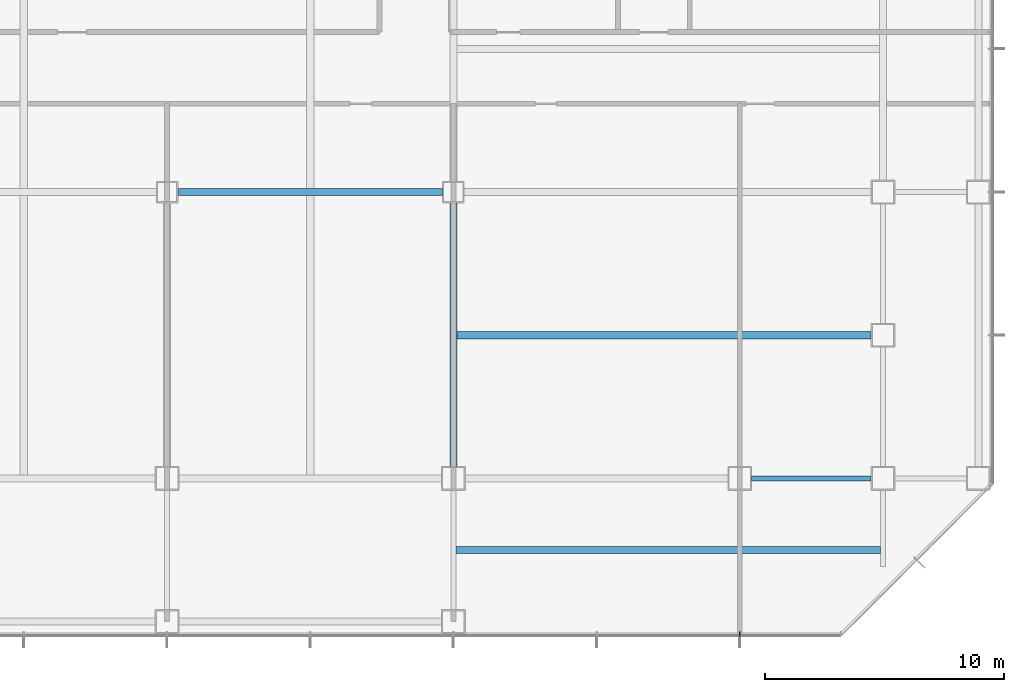
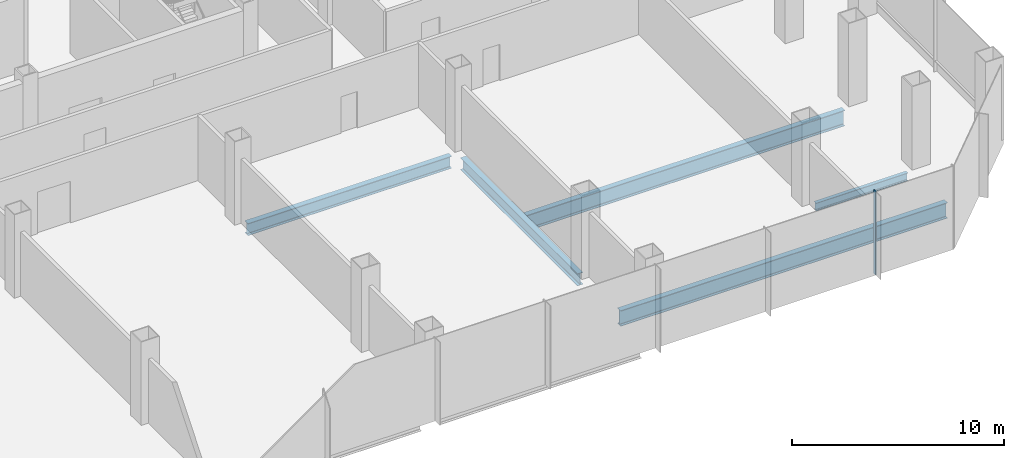
# One storey, part 9 of 33: 5 beams, 1 member, 1 element without a shape of its own.
"""IFC4 building model written with IfcOpenShell, lengths in metres."""

import ifcopenshell
import ifcopenshell.guid

model = None  # the IFC model being written
_history = None  # IfcOwnerHistory: only IFC2X3 demands one
_inside = {}  # id of a spatial element -> (the spatial element, [elements in it])
_under = {}  # id of a project, library or spatial element -> (it, [spatial elements below it])
_declared = {}  # id of a project -> (the project, [libraries it declares])
_typed = {}  # id of a type object -> (the type object, [elements of that type])
_made_of = {}  # id of a material, layer set ... -> (it, [elements and type objects made of it])


def new_model(schema):
    """Start an empty IFC model of exactly this schema.

    Asked for "IFC4X3", IfcOpenShell would pick the latest addendum, in which some entities
    have other attributes; the version numbers below select the first issue.
    IFC2X3 requires an IfcOwnerHistory on every rooted entity: one is made here for all.
    """
    global model, _history
    if schema == "IFC4X3":
        model = ifcopenshell.file(schema_version=(4, 3, 0, 0))
    else:
        model = ifcopenshell.file(schema=schema)
    _inside.clear()
    _under.clear()
    _declared.clear()
    _typed.clear()
    _made_of.clear()
    _history = None
    if model.schema == "IFC2X3":
        org = make("IfcOrganization", Name="unknown")
        user = make(
            "IfcPersonAndOrganization",
            ThePerson=make("IfcPerson", FamilyName="unknown"),
            TheOrganization=org,
        )
        app = make(
            "IfcApplication",
            ApplicationDeveloper=org,
            Version="unknown",
            ApplicationFullName="unknown",
            ApplicationIdentifier="unknown",
        )
        _history = make(
            "IfcOwnerHistory",
            OwningUser=user,
            OwningApplication=app,
            ChangeAction="ADDED",
            CreationDate=0,
        )
    return model


def make(cls, **values):
    """One entity of the class cls with the attributes given. An attribute that is None is left unset."""
    return model.create_entity(
        cls, **{name: value for name, value in values.items() if value is not None}
    )


def rooted(cls, **values):
    """An entity with a GlobalId (a new one), such as an element, a storey or a relation."""
    return make(cls, GlobalId=ifcopenshell.guid.new(), OwnerHistory=_history, **values)


def si_unit(unit_type, name, prefix=None):
    """IfcSIUnit, for example si_unit("LENGTHUNIT", "METRE", prefix="MILLI")."""
    return make("IfcSIUnit", UnitType=unit_type, Prefix=prefix, Name=name)


def assignment(units):
    """IfcUnitAssignment: the units of a project."""
    return None if units is None else make("IfcUnitAssignment", Units=units)


def point(xyz):
    """IfcCartesianPoint."""
    return None if xyz is None else make("IfcCartesianPoint", Coordinates=xyz)


def direction(xyz):
    """IfcDirection."""
    return None if xyz is None else make("IfcDirection", DirectionRatios=xyz)


def frame(location, z_axis=None, x_axis=None):
    """IfcAxis2Placement3D, a coordinate frame: its origin and axes. An axis left out is left unset."""
    return make(
        "IfcAxis2Placement3D",
        Location=point(location),
        Axis=direction(z_axis),
        RefDirection=direction(x_axis),
    )


def frame_2d(location, x_axis=None):
    """IfcAxis2Placement2D, a coordinate frame in the plane: its origin and x axis."""
    return make(
        "IfcAxis2Placement2D", Location=point(location), RefDirection=direction(x_axis)
    )


def origin():
    """The frame at (0, 0, 0) with its axes left unset."""
    return frame((0.0, 0.0, 0.0))


def origin_2d():
    """The frame at (0, 0) in the plane with its x axis left unset."""
    return frame_2d((0.0, 0.0))


def place(relative_to, where):
    """IfcLocalPlacement: puts the frame where relative to a parent placement (None: the world)."""
    return make(
        "IfcLocalPlacement", PlacementRelTo=relative_to, RelativePlacement=where
    )


def context(
    kind, dimensions, precision=None, world=None, true_north=None, identifier=None
):
    """IfcGeometricRepresentationContext, for example the 3D "Model" context."""
    return make(
        "IfcGeometricRepresentationContext",
        ContextIdentifier=identifier,
        ContextType=kind,
        CoordinateSpaceDimension=dimensions,
        Precision=precision,
        WorldCoordinateSystem=world,
        TrueNorth=true_north,
    )


def subcontext(parent, identifier, kind, view, scale=None):
    """IfcGeometricRepresentationSubContext, for example "Body" below "Model"."""
    return make(
        "IfcGeometricRepresentationSubContext",
        ContextIdentifier=identifier,
        ContextType=kind,
        ParentContext=parent,
        TargetScale=scale,
        TargetView=view,
    )


def project(units=None, contexts=None):
    """IfcProject with its units and contexts."""
    return rooted(
        "IfcProject",
        Name="project",
        RepresentationContexts=contexts,
        UnitsInContext=assignment(units),
    )


def spatial(cls, under=None, at=None, **own):
    """A site, building, storey or space (cls), placed at a placement, below another one or the project."""
    s = rooted(cls, ObjectPlacement=at, **own)
    if under is not None:
        _under.setdefault(under.id(), (under, []))[1].append(s)
    return s


def profile(cls, at=None, kind="AREA", **sizes):
    """A parametric profile (cls). Its sizes go by their IFC names, for example OverallWidth=200.0."""
    return make(cls, ProfileType=kind, Position=at, **sizes)


def rectangle(**sizes):
    """IfcRectangleProfileDef."""
    return profile("IfcRectangleProfileDef", **sizes)


def i_section(**sizes):
    """IfcIShapeProfileDef."""
    return profile("IfcIShapeProfileDef", **sizes)


def extrude(swept, where, along, depth):
    """IfcExtrudedAreaSolid: the profile swept, set in the frame where, extruded along a direction by depth."""
    return make(
        "IfcExtrudedAreaSolid",
        SweptArea=swept,
        Position=where,
        ExtrudedDirection=direction(along),
        Depth=depth,
    )


def shape(context_of_items, identifier, shape_type, items):
    """IfcShapeRepresentation: the items that make up one representation, for example the "Body"."""
    return make(
        "IfcShapeRepresentation",
        ContextOfItems=context_of_items,
        RepresentationIdentifier=identifier,
        RepresentationType=shape_type,
        Items=items,
    )


def material(Name=None, Category=None):
    """IfcMaterial."""
    return make("IfcMaterial", Name=Name, Category=Category)


def material_profile(
    of_material, cross_section, Name=None, Category=None, Priority=None
):
    """IfcMaterialProfile: a cross section and its material."""
    return make(
        "IfcMaterialProfile",
        Name=Name,
        Material=of_material,
        Profile=cross_section,
        Priority=Priority,
        Category=Category,
    )


def profile_set(profiles, Name=None, composite=None):
    """IfcMaterialProfileSet."""
    return make(
        "IfcMaterialProfileSet",
        Name=Name,
        MaterialProfiles=profiles,
        CompositeProfile=composite,
    )


def made_of(thing, what):
    """Note that an element or type object is made of a material, layer set ...; save() writes the relation."""
    if what is not None:
        _made_of.setdefault(what.id(), (what, []))[1].append(thing)
    return thing


def type_object(cls, material=None, **own):
    """A type object (cls), such as IfcWallType, which elements share."""
    return made_of(rooted(cls, **own), material)


def element(
    cls,
    number,
    at=None,
    inside=None,
    cuts=None,
    type_object=None,
    material=None,
    context=None,
    identifier="Body",
    shape_type=None,
    held_by="IfcProductDefinitionShape",
    body=None,
    shapes=None,
    **own,
):
    """One element of the class cls, such as IfcWall. Its Tag is "e" and its number.

    at: its placement. inside: the storey or other place that contains it. cuts: it is an
    opening in that element (IfcRelVoidsElement). A single representation is given by context,
    identifier, shape_type and body (its items); several are given by shapes. held_by: the class
    of the entity that holds the representations. save() writes the other relations.
    """
    e = rooted(cls, Tag="e%d" % number, ObjectPlacement=at, **own)
    if body is not None:
        shapes = [shape(context, identifier, shape_type, body)]
    if shapes is not None:
        e.Representation = make(held_by, Representations=shapes)
    if inside is not None:
        _inside.setdefault(inside.id(), (inside, []))[1].append(e)
    if cuts is not None:
        rooted(
            "IfcRelVoidsElement", RelatingBuildingElement=cuts, RelatedOpeningElement=e
        )
    if type_object is not None:
        _typed.setdefault(type_object.id(), (type_object, []))[1].append(e)
    return made_of(e, material)


def aggregate(whole, parts):
    """IfcRelAggregates: a whole, such as a stair, and the parts it consists of."""
    return rooted("IfcRelAggregates", RelatingObject=whole, RelatedObjects=parts)


def save(model, path):
    """Write the relations noted so far, then the file.

    IfcRelAggregates (storeys below a building ...), IfcRelContainedInSpatialStructure (elements
    in a storey), IfcRelDefinesByType, IfcRelAssociatesMaterial and IfcRelDeclares: one each for
    every whole, place, type object, material and project.
    """
    for whole, parts in _under.values():
        aggregate(whole, parts)
    for where, things in _inside.values():
        rooted(
            "IfcRelContainedInSpatialStructure",
            RelatedElements=things,
            RelatingStructure=where,
        )
    for kind, things in _typed.values():
        rooted("IfcRelDefinesByType", RelatedObjects=things, RelatingType=kind)
    for what, things in _made_of.values():
        rooted("IfcRelAssociatesMaterial", RelatedObjects=things, RelatingMaterial=what)
    for by, libraries in _declared.values():
        rooted("IfcRelDeclares", RelatingContext=by, RelatedDefinitions=libraries)
    model.write(path)


model = new_model("IFC4")

# Units and contexts
model_context = context("Model", 3, precision=1e-05, world=origin(), true_north=direction((0.0, 1.0)))
body_context = subcontext(model_context, "Body", "Model", "MODEL_VIEW")
ifc_project = project(units=[si_unit("LENGTHUNIT", "METRE"), si_unit("AREAUNIT", "SQUARE_METRE"), si_unit("VOLUMEUNIT", "CUBIC_METRE"), si_unit("PLANEANGLEUNIT", "RADIAN"), si_unit("MASSUNIT", "GRAM", prefix="KILO")], contexts=[model_context])

# Site, building, storey
site_placement = place(None, origin())
site = spatial("IfcSite", under=ifc_project, at=site_placement, CompositionType="ELEMENT")
building_placement = place(site_placement, origin())
building = spatial("IfcBuilding", under=site, at=building_placement, Name="Sorahane Residences", CompositionType="ELEMENT")
storey_placement = place(building_placement, frame((0.0, 0.0, 34.800048828125)))
storey = spatial("IfcBuildingStorey", under=building, at=storey_placement, Name="L05", CompositionType="ELEMENT", Elevation=34.800048828125)

# Curtain wall, member
ifc_material_1 = material(Name="Dark low-e glass and black anodised aluminium", Category="aluminium")
curtain_wall_type = type_object("IfcCurtainWallType", Name="Curtain wall CW-3 Podium unitised wall", PredefinedType="NOTDEFINED", material=ifc_material_1)
curtain_wall_placement = place(storey_placement, origin())
curtain_wall = element("IfcCurtainWall", 1, at=curtain_wall_placement, inside=storey, type_object=curtain_wall_type, Name="CW-3 curtain wall L05 S1", PredefinedType="NOTDEFINED")
ifc_material_2 = material(Name="Black anodised aluminium", Category="aluminium")
ifc_material_profile_1 = material_profile(ifc_material_2, rectangle(XDim=0.199951171875, YDim=0.050048828125, at=origin_2d()), Name="Curtain wall mullion CW-3 black anodised aluminium 50x200")
ifc_profile_set_1 = profile_set([ifc_material_profile_1], Name="Black anodised aluminium")
member_type = type_object("IfcMemberType", Name="Curtain wall mullion CW-3 black anodised aluminium 50x200", PredefinedType="MULLION", material=ifc_profile_set_1)
member_placement = place(storey_placement, frame((60.0, -6.52001953125, -0.400146484375), z_axis=(0.0, 0.0, 1.0), x_axis=(0.0, -1.0, 0.0)))
member = element("IfcMember", 2, at=member_placement, type_object=member_type, Name="CW-3 mullion L05 S1.10", PredefinedType="MULLION", context=body_context, shape_type="SweptSolid", body=[
    extrude(rectangle(XDim=0.199951171875, YDim=0.050048828125, at=origin_2d()), origin(), (0.0, 0.0, 1.0), 4.800048828125),
])
aggregate(curtain_wall, [member])

# Beams
ifc_material_3 = material(Name="Steel Q355B", Category="steel")
ifc_material_profile_2 = material_profile(ifc_material_3, i_section(OverallWidth=0.199951171875, OverallDepth=0.449951171875, WebThickness=0.009033203125, FlangeThickness=0.013916015625, FilletRadius=0.02001953125, at=origin_2d()), Name="HN 450x200x9x14")
ifc_profile_set_2 = profile_set([ifc_material_profile_2], Name="Steel Q355B")
beam_type_1 = type_object("IfcBeamType", Name="Steel floor beam HN 450x200x9x14 Q355B", PredefinedType="BEAM", material=ifc_profile_set_2)
beam_1_placement = place(storey_placement, frame((60.5, 0.0, -0.625), z_axis=(1.0, 0.0, 0.0), x_axis=(0.0, 1.0, 0.0)))
element("IfcBeam", 3, at=beam_1_placement, inside=storey, type_object=beam_type_1, Name="Beam L05 006", PredefinedType="BEAM", context=body_context, shape_type="SweptSolid", body=[
    extrude(i_section(OverallWidth=0.199951171875, OverallDepth=0.449951171875, WebThickness=0.009033203125, FlangeThickness=0.013916015625, FilletRadius=0.02001953125, at=origin_2d()), origin(), (0.0, 0.0, 1.0), 5.0),
])
ifc_material_4 = material(Name="Steel Q355B", Category="steel")
ifc_material_profile_3 = material_profile(ifc_material_4, i_section(OverallWidth=0.300048828125, OverallDepth=0.699951171875, WebThickness=0.012939453125, FlangeThickness=0.02392578125, FilletRadius=0.028076171875, at=origin_2d()), Name="HN 700x300x13x24")
ifc_profile_set_3 = profile_set([ifc_material_profile_3], Name="Steel Q355B")
beam_type_2 = type_object("IfcBeamType", Name="Steel floor beam HN 700x300x13x24 Q355B", PredefinedType="BEAM", material=ifc_profile_set_3)
beam_2_placement = place(storey_placement, frame((36.449951171875, 12.0, -0.75), z_axis=(1.0, 0.0, 0.0), x_axis=(0.0, 1.0, 0.0)))
element("IfcBeam", 4, at=beam_2_placement, inside=storey, type_object=beam_type_2, Name="Beam L05 011", PredefinedType="BEAM", context=body_context, shape_type="SweptSolid", body=[
    extrude(i_section(OverallWidth=0.300048828125, OverallDepth=0.699951171875, WebThickness=0.012939453125, FlangeThickness=0.02392578125, FilletRadius=0.028076171875, at=origin_2d()), origin(), (0.0, 0.0, 1.0), 11.10009765625),
])
beam_3_placement = place(storey_placement, frame((48.0, 0.5, -0.75), z_axis=(0.0, 1.0, 0.0), x_axis=(-1.0, 0.0, 0.0)))
element("IfcBeam", 5, at=beam_3_placement, inside=storey, type_object=beam_type_2, Name="Beam L05 063", PredefinedType="BEAM", context=body_context, shape_type="SweptSolid", body=[
    extrude(i_section(OverallWidth=0.300048828125, OverallDepth=0.699951171875, WebThickness=0.012939453125, FlangeThickness=0.02392578125, FilletRadius=0.028076171875, at=origin_2d()), origin(), (0.0, 0.0, 1.0), 11.050048828125),
])
ifc_material_5 = material(Name="Steel Q355B", Category="steel")
ifc_material_profile_4 = material_profile(ifc_material_5, i_section(OverallWidth=0.300048828125, OverallDepth=0.89990234375, WebThickness=0.01611328125, FlangeThickness=0.028076171875, FilletRadius=0.028076171875, at=origin_2d()), Name="HN 900x300x16x28")
ifc_profile_set_4 = profile_set([ifc_material_profile_4], Name="Steel Q355B")
beam_type_3 = type_object("IfcBeamType", Name="Steel floor beam HN 900x300x16x28 Q355B", PredefinedType="BEAM", material=ifc_profile_set_4)
beam_4_placement = place(storey_placement, frame((48.150146484375, 6.0, -0.85009765625), z_axis=(1.0, 0.0, 0.0), x_axis=(0.0, 1.0, 0.0)))
element("IfcBeam", 6, at=beam_4_placement, inside=storey, type_object=beam_type_3, Name="Beam L05 083", PredefinedType="BEAM", context=body_context, shape_type="SweptSolid", body=[
    extrude(i_section(OverallWidth=0.300048828125, OverallDepth=0.89990234375, WebThickness=0.01611328125, FlangeThickness=0.028076171875, FilletRadius=0.028076171875, at=origin_2d()), origin(), (0.0, 0.0, 1.0), 17.349609375),
])
beam_5_placement = place(storey_placement, frame((48.10009765625, -3.0, -0.85009765625), z_axis=(1.0, 0.0, 0.0), x_axis=(0.0, 1.0, 0.0)))
element("IfcBeam", 7, at=beam_5_placement, inside=storey, type_object=beam_type_3, Name="Beam L05 088", PredefinedType="BEAM", context=body_context, shape_type="SweptSolid", body=[
    extrude(i_section(OverallWidth=0.300048828125, OverallDepth=0.89990234375, WebThickness=0.01611328125, FlangeThickness=0.028076171875, FilletRadius=0.028076171875, at=origin_2d()), origin(), (0.0, 0.0, 1.0), 17.7998046875),
])

save(model, "model.ifc")
